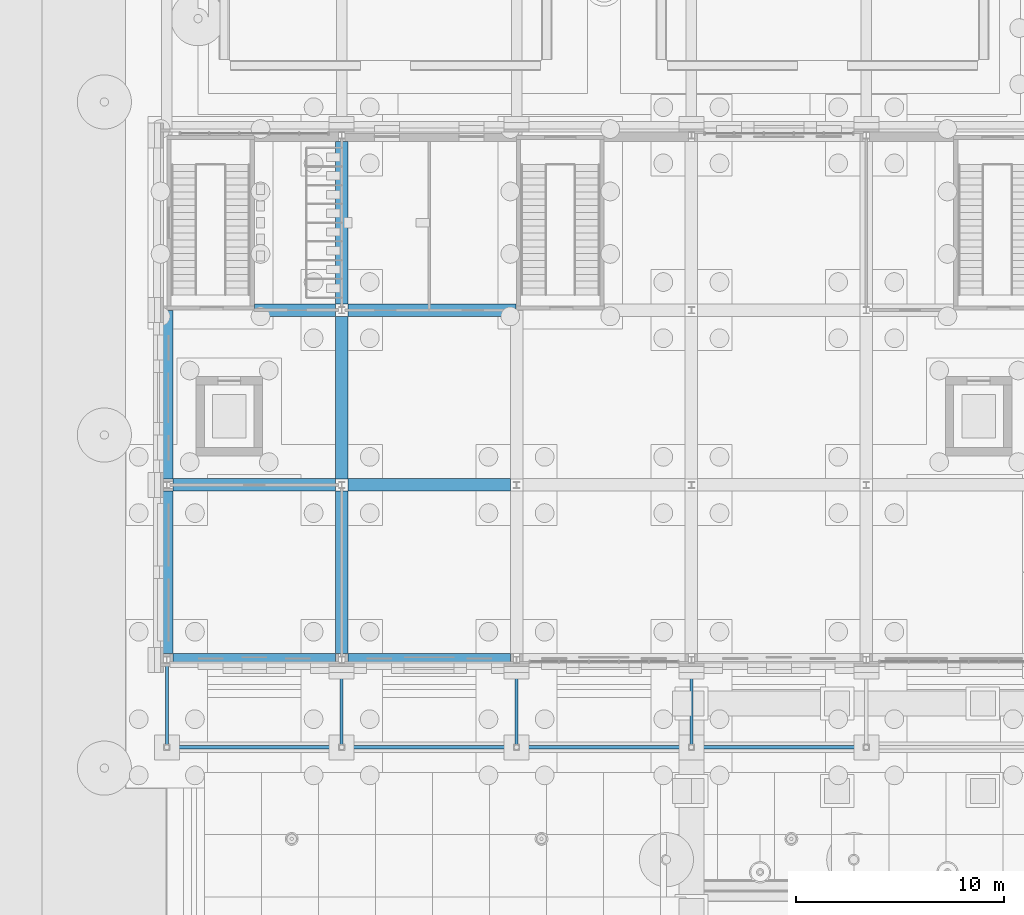
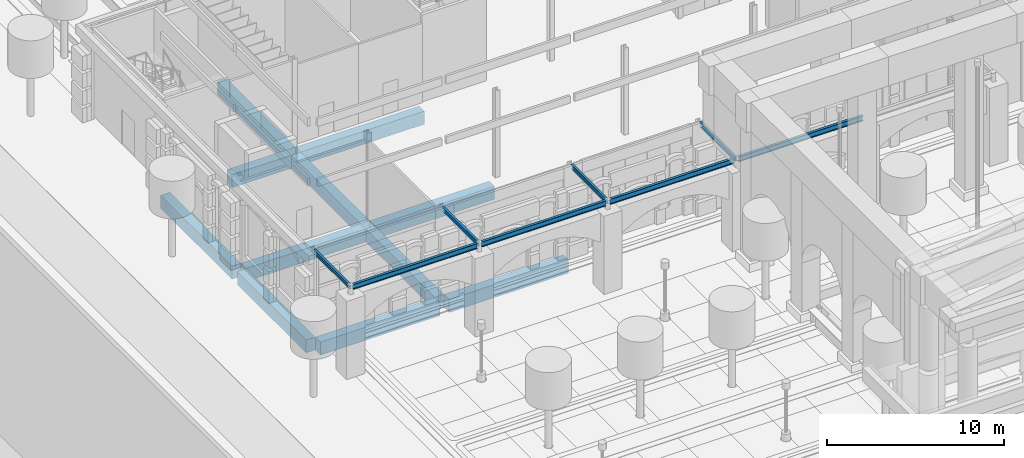
# One storey, part 38 of 222: 19 beams.
"""IFC4 building model written with IfcOpenShell, lengths in metres."""

from ifc_helpers import new_model, si_unit, direction, frame, origin, origin_2d, place, context, subcontext, project, spatial, rectangle, i_section, extrude, material, material_profile, profile_set, type_object, element, save


model = new_model("IFC4")

# Units and contexts
model_context = context("Model", 3, precision=1e-05, world=origin(), true_north=direction((0.0, 1.0)))
body_context = subcontext(model_context, "Body", "Model", "MODEL_VIEW")
ifc_project = project(units=[si_unit("LENGTHUNIT", "METRE"), si_unit("AREAUNIT", "SQUARE_METRE"), si_unit("VOLUMEUNIT", "CUBIC_METRE"), si_unit("PLANEANGLEUNIT", "RADIAN"), si_unit("MASSUNIT", "GRAM", prefix="KILO")], contexts=[model_context])

# Site, building, storey
site_placement = place(None, origin())
site = spatial("IfcSite", under=ifc_project, at=site_placement, CompositionType="ELEMENT")
building_placement = place(site_placement, origin())
building = spatial("IfcBuilding", under=site, at=building_placement, Name="Sava Quay Ferry Terminal", CompositionType="ELEMENT")
storey_placement = place(building_placement, origin())
storey = spatial("IfcBuildingStorey", under=building, at=storey_placement, Name="L00", CompositionType="ELEMENT", Elevation=0.0)

# Beams
ifc_material_1 = material(Name="Steel S355", Category="steel")
ifc_material_profile_1 = material_profile(ifc_material_1, i_section(OverallWidth=0.14990234375, OverallDepth=0.300048828125, WebThickness=0.007080078125, FlangeThickness=0.0107421875, at=origin_2d()), Name="IPE 300")
ifc_profile_set_1 = profile_set([ifc_material_profile_1], Name="Steel S355")
beam_type_1 = type_object("IfcBeamType", Name="Beam IPE 300", PredefinedType="BEAM", material=ifc_profile_set_1)
for number, where, z_axis, x_axis, name in (
    (1, (0.0, 21.0, 5.85009765625), (0.0, 1.0, 0.0), (-1.0, 0.0, 0.0), "Arcade roof beam"),
    (2, (8.39990234375, 21.0, 5.85009765625), (0.0, 1.0, 0.0), (-1.0, 0.0, 0.0), "Arcade roof beam"),
    (3, (16.800048828125, 21.0, 5.85009765625), (0.0, 1.0, 0.0), (-1.0, 0.0, 0.0), "Arcade roof beam"),
    (4, (25.199951171875, 21.0, 5.85009765625), (0.0, 1.0, 0.0), (-1.0, 0.0, 0.0), "Arcade roof beam"),
):
    element("IfcBeam", number, at=place(storey_placement, frame(where, z_axis=z_axis, x_axis=x_axis)), inside=storey, type_object=beam_type_1, Name=name, PredefinedType="BEAM", context=body_context, shape_type="SweptSolid", body=[
        extrude(i_section(OverallWidth=0.14990234375, OverallDepth=0.300048828125, WebThickness=0.007080078125, FlangeThickness=0.0107421875, at=origin_2d()), origin(), (0.0, 0.0, 1.0), 4.050048828125),
    ])
ifc_material_2 = material(Name="Steel S355", Category="steel")
ifc_material_profile_2 = material_profile(ifc_material_2, i_section(OverallWidth=0.169921875, OverallDepth=0.360107421875, WebThickness=0.008056640625, FlangeThickness=0.0126953125, at=origin_2d()), Name="IPE 360")
ifc_profile_set_2 = profile_set([ifc_material_profile_2], Name="Steel S355")
beam_type_2 = type_object("IfcBeamType", Name="Beam IPE 360", PredefinedType="BEAM", material=ifc_profile_set_2)
for number, where, z_axis, x_axis, name in (
    (5, (0.136474609375, 21.0, 5.820068359375), (1.0, 0.0, 0.0), (0.0, 1.0, 0.0), "Arcade edge beam"),
    (6, (8.53662109375, 21.0, 5.820068359375), (1.0, 0.0, 0.0), (0.0, 1.0, 0.0), "Arcade edge beam"),
    (7, (16.9365234375, 21.0, 5.820068359375), (1.0, 0.0, 0.0), (0.0, 1.0, 0.0), "Arcade edge beam"),
    (8, (25.33642578125, 21.0, 5.820068359375), (1.0, 0.0, 0.0), (0.0, 1.0, 0.0), "Arcade edge beam"),
):
    element("IfcBeam", number, at=place(storey_placement, frame(where, z_axis=z_axis, x_axis=x_axis)), inside=storey, type_object=beam_type_2, Name=name, PredefinedType="BEAM", context=body_context, shape_type="SweptSolid", body=[
        extrude(i_section(OverallWidth=0.169921875, OverallDepth=0.360107421875, WebThickness=0.008056640625, FlangeThickness=0.0126953125, at=origin_2d()), origin(), (0.0, 0.0, 1.0), 8.126953125),
    ])
ifc_material_3 = material(Name="Concrete C40/50", Category="concrete")
ifc_material_profile_3 = material_profile(ifc_material_3, rectangle(XDim=0.60009765625, YDim=0.89990234375, at=origin_2d()), Name="RC 600x900")
ifc_profile_set_3 = profile_set([ifc_material_profile_3], Name="Concrete C40/50")
beam_type_3 = type_object("IfcBeamType", Name="RC deck beam 600x900", PredefinedType="BEAM", material=ifc_profile_set_3)
for number, where, z_axis, x_axis, name in (
    (9, (0.300048828125, 25.199951171875, -0.89990234375), (1.0, 0.0, 0.0), (0.0, 1.0, 0.0), "Deck beam X25.2-0"),
    (10, (8.699951171875, 25.199951171875, -0.89990234375), (1.0, 0.0, 0.0), (0.0, 1.0, 0.0), "Deck beam X25.2-8.4"),
    (11, (0.300048828125, 33.60009765625, -0.89990234375), (1.0, 0.0, 0.0), (0.0, 1.0, 0.0), "Deck beam X33.6-0"),
    (12, (8.699951171875, 33.60009765625, -0.89990234375), (1.0, 0.0, 0.0), (0.0, 1.0, 0.0), "Deck beam X33.6-8.4"),
):
    element("IfcBeam", number, at=place(storey_placement, frame(where, z_axis=z_axis, x_axis=x_axis)), inside=storey, type_object=beam_type_3, Name=name, PredefinedType="BEAM", context=body_context, shape_type="SweptSolid", body=[
        extrude(rectangle(XDim=0.60009765625, YDim=0.89990234375, at=origin_2d()), origin(), (0.0, 0.0, 1.0), 7.800048828125),
    ])
beam_1_placement = place(storey_placement, frame((4.219970703125, 42.0, -0.89990234375), z_axis=(1.0, 0.0, 0.0), x_axis=(0.0, 1.0, 0.0)))
element("IfcBeam", 13, at=beam_1_placement, inside=storey, type_object=beam_type_3, Name="Deck beam X42-0", PredefinedType="BEAM", context=body_context, shape_type="SweptSolid", body=[
    extrude(rectangle(XDim=0.60009765625, YDim=0.89990234375, at=origin_2d()), origin(), (0.0, 0.0, 1.0), 3.880126953125),
])
beam_2_placement = place(storey_placement, frame((8.699951171875, 42.0, -0.89990234375), z_axis=(1.0, 0.0, 0.0), x_axis=(0.0, 1.0, 0.0)))
element("IfcBeam", 14, at=beam_2_placement, inside=storey, type_object=beam_type_3, Name="Deck beam X42-8.4", PredefinedType="BEAM", context=body_context, shape_type="SweptSolid", body=[
    extrude(rectangle(XDim=0.60009765625, YDim=0.89990234375, at=origin_2d()), origin(), (0.0, 0.0, 1.0), 8.080078125),
])
beam_3_placement = place(storey_placement, frame((0.0, 25.5, -0.89990234375), z_axis=(0.0, 1.0, 0.0), x_axis=(-1.0, 0.0, 0.0)))
element("IfcBeam", 15, at=beam_3_placement, inside=storey, type_object=beam_type_3, Name="Deck beam Y0-25.2", PredefinedType="BEAM", context=body_context, shape_type="SweptSolid", body=[
    extrude(rectangle(XDim=0.60009765625, YDim=0.89990234375, at=origin_2d()), origin(), (0.0, 0.0, 1.0), 7.800048828125),
])
beam_4_placement = place(storey_placement, frame((0.0, 33.89990234375, -0.89990234375), z_axis=(0.0, 1.0, 0.0), x_axis=(-1.0, 0.0, 0.0)))
element("IfcBeam", 16, at=beam_4_placement, inside=storey, type_object=beam_type_3, Name="Deck beam Y0-33.6", PredefinedType="BEAM", context=body_context, shape_type="SweptSolid", body=[
    extrude(rectangle(XDim=0.60009765625, YDim=0.89990234375, at=origin_2d()), origin(), (0.0, 0.0, 1.0), 8.080078125),
])
for number, where, z_axis, x_axis, name in (
    (17, (8.39990234375, 25.5, -0.89990234375), (0.0, 1.0, 0.0), (-1.0, 0.0, 0.0), "Deck beam Y8.4-25.2"),
    (18, (8.39990234375, 33.89990234375, -0.89990234375), (0.0, 1.0, 0.0), (-1.0, 0.0, 0.0), "Deck beam Y8.4-33.6"),
    (19, (8.39990234375, 42.300048828125, -0.89990234375), (0.0, 1.0, 0.0), (-1.0, 0.0, 0.0), "Deck beam Y8.4-42"),
):
    element("IfcBeam", number, at=place(storey_placement, frame(where, z_axis=z_axis, x_axis=x_axis)), inside=storey, type_object=beam_type_3, Name=name, PredefinedType="BEAM", context=body_context, shape_type="SweptSolid", body=[
        extrude(rectangle(XDim=0.60009765625, YDim=0.89990234375, at=origin_2d()), origin(), (0.0, 0.0, 1.0), 7.800048828125),
    ])

save(model, "model.ifc")
